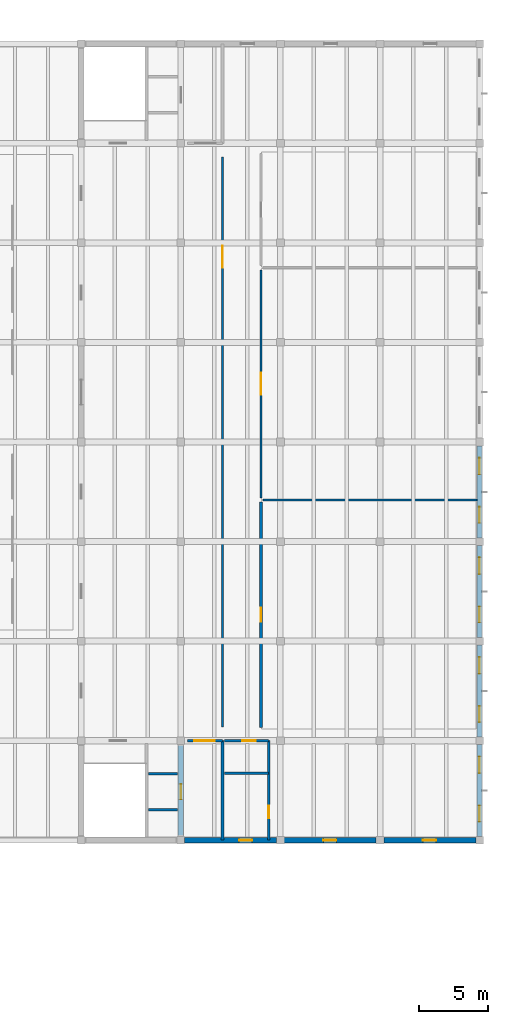
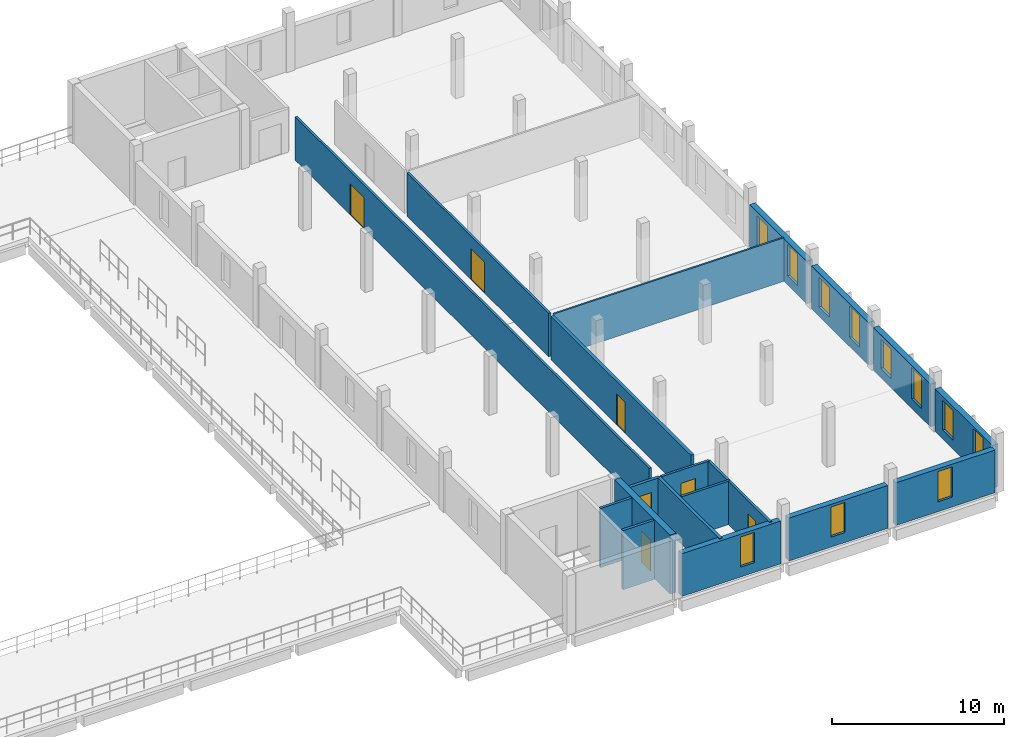
# One storey, part 56 of 63: 19 walls, 11 windows, 7 doors, 18 openings.
"""IFC4 building model written with IfcOpenShell, lengths in metres."""

from ifc_helpers import new_model, si_unit, direction, frame, frame_2d, origin, place, context, subcontext, project, spatial, rectangle, extrude, material, layer, layer_set, type_object, element, fill, save


model = new_model("IFC4")

# Units and contexts
model_context = context("Model", 3, precision=1e-05, world=origin(), true_north=direction((0.0, 1.0)))
body_context = subcontext(model_context, "Body", "Model", "MODEL_VIEW")
ifc_project = project(units=[si_unit("LENGTHUNIT", "METRE"), si_unit("AREAUNIT", "SQUARE_METRE"), si_unit("VOLUMEUNIT", "CUBIC_METRE"), si_unit("PLANEANGLEUNIT", "RADIAN"), si_unit("MASSUNIT", "GRAM", prefix="KILO")], contexts=[model_context])

# Site, building, storey
site_placement = place(None, origin())
site = spatial("IfcSite", under=ifc_project, at=site_placement, CompositionType="ELEMENT")
building_placement = place(site_placement, origin())
building = spatial("IfcBuilding", under=site, at=building_placement, Name="Qiaolan Assembly House", CompositionType="ELEMENT")
storey_placement = place(building_placement, frame((0.0, 0.0, 14.39990234375)))
storey = spatial("IfcBuildingStorey", under=building, at=storey_placement, Name="L03", CompositionType="ELEMENT", Elevation=14.39990234375)

# Wall, opening, door
ifc_material_1 = material(Name="Concrete C45/55", Category="concrete")
ifc_layer_1 = layer(ifc_material_1, 0.39990234375)
ifc_layer_set_1 = layer_set([ifc_layer_1], Name="Concrete C45/55")
wall_type_1 = type_object("IfcWallType", Name="WAL-CORE-400", PredefinedType="SHEAR", material=ifc_layer_set_1)
wall_1_placement = place(storey_placement, frame((151.199951171875, 29.14990234375, 0.0), z_axis=(0.0, 0.0, 1.0), x_axis=(0.0, 1.0, 0.0)))
wall_1 = element("IfcWall", 1, at=wall_1_placement, inside=storey, type_object=wall_type_1, Name="CW-400 shear core wall CORE-E E L03", PredefinedType="SHEAR", context=body_context, shape_type="SweptSolid", body=[
    extrude(rectangle(XDim=6.5, YDim=0.39990234375, at=frame_2d((3.25, 0.0))), origin(), (0.0, 0.0, 1.0), 4.2001953125),
])
opening_1_placement = place(wall_1_placement, frame((2.60009765625, 0.0, 0.0)))
opening_1 = element("IfcOpeningElement", 2, at=opening_1_placement, cuts=wall_1, Name="Opening LD-068", PredefinedType="OPENING", context=body_context, shape_type="SweptSolid", body=[
    extrude(rectangle(XDim=1.10009765625, YDim=2.199951171875, at=frame_2d((0.550048828125, 1.10009765625))), frame((0.0, 0.2099609375, 0.0), z_axis=(0.0, -1.0, 0.0), x_axis=(1.0, 0.0, 0.0)), (0.0, 0.0, 1.0), 0.419921875),
])
ifc_material_2 = material(Name="Anodised bronze aluminium", Category="aluminium")
door_type_1 = type_object("IfcDoorType", Name="DOR-LIFT-LD1100", OperationType="SLIDING_TO_LEFT", PredefinedType="DOOR", material=ifc_material_2)
door_1_placement = place(opening_1_placement, origin())
door_1 = element("IfcDoor", 3, at=door_1_placement, inside=storey, type_object=door_type_1, Name="Lift landing door LD-068 (LF-09 L03)", OperationType="SLIDING_TO_LEFT", OverallHeight=2.199951171875, OverallWidth=1.10009765625, PredefinedType="DOOR", context=body_context, shape_type="SweptSolid", body=[
    extrude(rectangle(XDim=1.10009765625, YDim=2.199951171875, at=frame_2d((0.550048828125, 1.10009765625))), frame((0.0, 0.02490234375, 0.0), z_axis=(0.0, -1.0, 0.0), x_axis=(1.0, 0.0, 0.0)), (0.0, 0.0, 1.0), 0.050048828125),
])
fill(opening_1, door_1)

# Wall, openings, windows
ifc_material_3 = material(Name="Honed pale limestone", Category="masonry")
ifc_layer_2 = layer(ifc_material_3, 0.3798828125)
ifc_layer_set_2 = layer_set([ifc_layer_2], Name="Honed pale limestone")
wall_type_2 = type_object("IfcWallType", Name="WAL-EXT-LIB-380", PredefinedType="SOLIDWALL", material=ifc_layer_set_2)
wall_2_placement = place(storey_placement, frame((172.800048828125, 35.72705078125, 0.0), z_axis=(0.0, 0.0, 1.0), x_axis=(0.0, -1.0, 0.0)))
wall_2 = element("IfcWall", 4, at=wall_2_placement, inside=storey, type_object=wall_type_2, Name="Library East avenue wall L03-1", PredefinedType="SOLIDWALL", context=body_context, shape_type="SweptSolid", body=[
    extrude(rectangle(XDim=6.654052734375, YDim=0.3798828125, at=frame_2d((3.3271484375, 0.0))), origin(), (0.0, 0.0, 1.0), 3.0400390625),
])
opening_2_placement = place(wall_2_placement, frame((0.876953125, 0.0, 0.64990234375)))
opening_2 = element("IfcOpeningElement", 5, at=opening_2_placement, cuts=wall_2, Name="Opening WN-486", PredefinedType="OPENING", context=body_context, shape_type="SweptSolid", body=[
    extrude(rectangle(XDim=1.199951171875, YDim=2.10009765625, at=frame_2d((0.60009765625, 1.050048828125))), frame((0.0, 0.199951171875, 0.0), z_axis=(0.0, -1.0, 0.0), x_axis=(1.0, 0.0, 0.0)), (0.0, 0.0, 1.0), 0.39990234375),
])
opening_3_placement = place(wall_2_placement, frame((4.427001953125, 0.0, 0.64990234375)))
opening_3 = element("IfcOpeningElement", 6, at=opening_3_placement, cuts=wall_2, Name="Opening WN-487", PredefinedType="OPENING", context=body_context, shape_type="SweptSolid", body=[
    extrude(rectangle(XDim=1.14990234375, YDim=2.239990234375, at=frame_2d((0.574951171875, 1.1201171875))), frame((0.0, 0.199951171875, 0.0), z_axis=(0.0, -1.0, 0.0), x_axis=(1.0, 0.0, 0.0)), (0.0, 0.0, 1.0), 0.39990234375),
])
ifc_material_4 = material(Name="Low-E double insulating glass", Category="glass")
window_type_1 = type_object("IfcWindowType", Name="WIN-ATTIC-1200x2100", PartitioningType="DOUBLE_PANEL_VERTICAL", PredefinedType="WINDOW", material=ifc_material_4)
window_1_placement = place(opening_2_placement, origin())
window_1 = element("IfcWindow", 7, at=window_1_placement, inside=storey, type_object=window_type_1, Name="Library reading window WN-486", OverallHeight=2.10009765625, OverallWidth=1.199951171875, PartitioningType="DOUBLE_PANEL_VERTICAL", PredefinedType="WINDOW", context=body_context, shape_type="SweptSolid", body=[
    extrude(rectangle(XDim=1.199951171875, YDim=2.10009765625, at=frame_2d((0.60009765625, 1.050048828125))), frame((0.0, 0.030029296875, 0.0), z_axis=(0.0, -1.0, 0.0), x_axis=(1.0, 0.0, 0.0)), (0.0, 0.0, 1.0), 0.06005859375),
])
fill(opening_2, window_1)
window_type_2 = type_object("IfcWindowType", Name="WIN-LIB-CARREL-1150x2300", PartitioningType="SINGLE_PANEL", PredefinedType="WINDOW", material=ifc_material_4)
window_2_placement = place(opening_3_placement, origin())
window_2 = element("IfcWindow", 8, at=window_2_placement, inside=storey, type_object=window_type_2, Name="Library reading window WN-487", OverallHeight=2.239990234375, OverallWidth=1.14990234375, PartitioningType="SINGLE_PANEL", PredefinedType="WINDOW", context=body_context, shape_type="SweptSolid", body=[
    extrude(rectangle(XDim=1.14990234375, YDim=2.239990234375, at=frame_2d((0.574951171875, 1.1201171875))), frame((0.0, 0.030029296875, 0.0), z_axis=(0.0, -1.0, 0.0), x_axis=(1.0, 0.0, 0.0)), (0.0, 0.0, 1.0), 0.06005859375),
])
fill(opening_3, window_2)

wall_3_placement = place(storey_placement, frame((172.800048828125, 42.927001953125, 0.0), z_axis=(0.0, 0.0, 1.0), x_axis=(0.0, -1.0, 0.0)))
wall_3 = element("IfcWall", 9, at=wall_3_placement, inside=storey, type_object=wall_type_2, Name="Library East avenue wall L03-2", PredefinedType="SOLIDWALL", context=body_context, shape_type="SweptSolid", body=[
    extrude(rectangle(XDim=6.654052734375, YDim=0.3798828125, at=frame_2d((3.3271484375, 0.0))), origin(), (0.0, 0.0, 1.0), 3.0400390625),
])
opening_4_placement = place(wall_3_placement, frame((0.876953125, 0.0, 0.64990234375)))
opening_4 = element("IfcOpeningElement", 10, at=opening_4_placement, cuts=wall_3, Name="Opening WN-488", PredefinedType="OPENING", context=body_context, shape_type="SweptSolid", body=[
    extrude(rectangle(XDim=1.199951171875, YDim=2.10009765625, at=frame_2d((0.60009765625, 1.050048828125))), frame((0.0, 0.199951171875, 0.0), z_axis=(0.0, -1.0, 0.0), x_axis=(1.0, 0.0, 0.0)), (0.0, 0.0, 1.0), 0.39990234375),
])
opening_5_placement = place(wall_3_placement, frame((4.427001953125, 0.0, 0.64990234375)))
opening_5 = element("IfcOpeningElement", 11, at=opening_5_placement, cuts=wall_3, Name="Opening WN-489", PredefinedType="OPENING", context=body_context, shape_type="SweptSolid", body=[
    extrude(rectangle(XDim=1.14990234375, YDim=2.239990234375, at=frame_2d((0.574951171875, 1.1201171875))), frame((0.0, 0.199951171875, 0.0), z_axis=(0.0, -1.0, 0.0), x_axis=(1.0, 0.0, 0.0)), (0.0, 0.0, 1.0), 0.39990234375),
])
window_3_placement = place(opening_4_placement, origin())
window_3 = element("IfcWindow", 12, at=window_3_placement, inside=storey, type_object=window_type_1, Name="Library reading window WN-488", OverallHeight=2.10009765625, OverallWidth=1.199951171875, PartitioningType="DOUBLE_PANEL_VERTICAL", PredefinedType="WINDOW", context=body_context, shape_type="SweptSolid", body=[
    extrude(rectangle(XDim=1.199951171875, YDim=2.10009765625, at=frame_2d((0.60009765625, 1.050048828125))), frame((0.0, 0.030029296875, 0.0), z_axis=(0.0, -1.0, 0.0), x_axis=(1.0, 0.0, 0.0)), (0.0, 0.0, 1.0), 0.06005859375),
])
fill(opening_4, window_3)
window_4_placement = place(opening_5_placement, origin())
window_4 = element("IfcWindow", 13, at=window_4_placement, inside=storey, type_object=window_type_2, Name="Library reading window WN-489", OverallHeight=2.239990234375, OverallWidth=1.14990234375, PartitioningType="SINGLE_PANEL", PredefinedType="WINDOW", context=body_context, shape_type="SweptSolid", body=[
    extrude(rectangle(XDim=1.14990234375, YDim=2.239990234375, at=frame_2d((0.574951171875, 1.1201171875))), frame((0.0, 0.030029296875, 0.0), z_axis=(0.0, -1.0, 0.0), x_axis=(1.0, 0.0, 0.0)), (0.0, 0.0, 1.0), 0.06005859375),
])
fill(opening_5, window_4)

wall_4_placement = place(storey_placement, frame((172.800048828125, 50.126953125, 0.0), z_axis=(0.0, 0.0, 1.0), x_axis=(0.0, -1.0, 0.0)))
wall_4 = element("IfcWall", 14, at=wall_4_placement, inside=storey, type_object=wall_type_2, Name="Library East avenue wall L03-3", PredefinedType="SOLIDWALL", context=body_context, shape_type="SweptSolid", body=[
    extrude(rectangle(XDim=6.654052734375, YDim=0.3798828125, at=frame_2d((3.3271484375, 0.0))), origin(), (0.0, 0.0, 1.0), 3.0400390625),
])
opening_6_placement = place(wall_4_placement, frame((0.876953125, 0.0, 0.64990234375)))
opening_6 = element("IfcOpeningElement", 15, at=opening_6_placement, cuts=wall_4, Name="Opening WN-491", PredefinedType="OPENING", context=body_context, shape_type="SweptSolid", body=[
    extrude(rectangle(XDim=1.199951171875, YDim=2.10009765625, at=frame_2d((0.60009765625, 1.050048828125))), frame((0.0, 0.199951171875, 0.0), z_axis=(0.0, -1.0, 0.0), x_axis=(1.0, 0.0, 0.0)), (0.0, 0.0, 1.0), 0.39990234375),
])
opening_7_placement = place(wall_4_placement, frame((4.427001953125, 0.0, 0.64990234375)))
opening_7 = element("IfcOpeningElement", 16, at=opening_7_placement, cuts=wall_4, Name="Opening WN-492", PredefinedType="OPENING", context=body_context, shape_type="SweptSolid", body=[
    extrude(rectangle(XDim=1.14990234375, YDim=2.239990234375, at=frame_2d((0.574951171875, 1.1201171875))), frame((0.0, 0.199951171875, 0.0), z_axis=(0.0, -1.0, 0.0), x_axis=(1.0, 0.0, 0.0)), (0.0, 0.0, 1.0), 0.39990234375),
])
window_5_placement = place(opening_6_placement, origin())
window_5 = element("IfcWindow", 17, at=window_5_placement, inside=storey, type_object=window_type_1, Name="Library reading window WN-491", OverallHeight=2.10009765625, OverallWidth=1.199951171875, PartitioningType="DOUBLE_PANEL_VERTICAL", PredefinedType="WINDOW", context=body_context, shape_type="SweptSolid", body=[
    extrude(rectangle(XDim=1.199951171875, YDim=2.10009765625, at=frame_2d((0.60009765625, 1.050048828125))), frame((0.0, 0.030029296875, 0.0), z_axis=(0.0, -1.0, 0.0), x_axis=(1.0, 0.0, 0.0)), (0.0, 0.0, 1.0), 0.06005859375),
])
fill(opening_6, window_5)
window_6_placement = place(opening_7_placement, origin())
window_6 = element("IfcWindow", 18, at=window_6_placement, inside=storey, type_object=window_type_2, Name="Library reading window WN-492", OverallHeight=2.239990234375, OverallWidth=1.14990234375, PartitioningType="SINGLE_PANEL", PredefinedType="WINDOW", context=body_context, shape_type="SweptSolid", body=[
    extrude(rectangle(XDim=1.14990234375, YDim=2.239990234375, at=frame_2d((0.574951171875, 1.1201171875))), frame((0.0, 0.030029296875, 0.0), z_axis=(0.0, -1.0, 0.0), x_axis=(1.0, 0.0, 0.0)), (0.0, 0.0, 1.0), 0.06005859375),
])
fill(opening_7, window_6)

wall_5_placement = place(storey_placement, frame((172.800048828125, 57.326904296875, 0.0), z_axis=(0.0, 0.0, 1.0), x_axis=(0.0, -1.0, 0.0)))
wall_5 = element("IfcWall", 19, at=wall_5_placement, inside=storey, type_object=wall_type_2, Name="Library East avenue wall L03-4", PredefinedType="SOLIDWALL", context=body_context, shape_type="SweptSolid", body=[
    extrude(rectangle(XDim=6.65380859375, YDim=0.3798828125, at=frame_2d((3.326904296875, 0.0))), origin(), (0.0, 0.0, 1.0), 3.0400390625),
])
opening_8_placement = place(wall_5_placement, frame((0.876953125, 0.0, 0.64990234375)))
opening_8 = element("IfcOpeningElement", 20, at=opening_8_placement, cuts=wall_5, Name="Opening WN-494", PredefinedType="OPENING", context=body_context, shape_type="SweptSolid", body=[
    extrude(rectangle(XDim=1.199951171875, YDim=2.10009765625, at=frame_2d((0.60009765625, 1.050048828125))), frame((0.0, 0.199951171875, 0.0), z_axis=(0.0, -1.0, 0.0), x_axis=(1.0, 0.0, 0.0)), (0.0, 0.0, 1.0), 0.39990234375),
])
opening_9_placement = place(wall_5_placement, frame((4.427001953125, 0.0, 0.64990234375)))
opening_9 = element("IfcOpeningElement", 21, at=opening_9_placement, cuts=wall_5, Name="Opening WN-495", PredefinedType="OPENING", context=body_context, shape_type="SweptSolid", body=[
    extrude(rectangle(XDim=1.14990234375, YDim=2.239990234375, at=frame_2d((0.574951171875, 1.1201171875))), frame((0.0, 0.199951171875, 0.0), z_axis=(0.0, -1.0, 0.0), x_axis=(1.0, 0.0, 0.0)), (0.0, 0.0, 1.0), 0.39990234375),
])
window_7_placement = place(opening_8_placement, origin())
window_7 = element("IfcWindow", 22, at=window_7_placement, inside=storey, type_object=window_type_1, Name="Library reading window WN-494", OverallHeight=2.10009765625, OverallWidth=1.199951171875, PartitioningType="DOUBLE_PANEL_VERTICAL", PredefinedType="WINDOW", context=body_context, shape_type="SweptSolid", body=[
    extrude(rectangle(XDim=1.199951171875, YDim=2.10009765625, at=frame_2d((0.60009765625, 1.050048828125))), frame((0.0, 0.030029296875, 0.0), z_axis=(0.0, -1.0, 0.0), x_axis=(1.0, 0.0, 0.0)), (0.0, 0.0, 1.0), 0.06005859375),
])
fill(opening_8, window_7)
window_8_placement = place(opening_9_placement, origin())
window_8 = element("IfcWindow", 23, at=window_8_placement, inside=storey, type_object=window_type_2, Name="Library reading window WN-495", OverallHeight=2.239990234375, OverallWidth=1.14990234375, PartitioningType="SINGLE_PANEL", PredefinedType="WINDOW", context=body_context, shape_type="SweptSolid", body=[
    extrude(rectangle(XDim=1.14990234375, YDim=2.239990234375, at=frame_2d((0.574951171875, 1.1201171875))), frame((0.0, 0.030029296875, 0.0), z_axis=(0.0, -1.0, 0.0), x_axis=(1.0, 0.0, 0.0)), (0.0, 0.0, 1.0), 0.06005859375),
])
fill(opening_9, window_8)

# Wall, opening, window
wall_6_placement = place(storey_placement, frame((151.472900390625, 28.800048828125, 0.0), z_axis=(0.0, 0.0, 1.0), x_axis=(1.0, 0.0, 0.0)))
wall_6 = element("IfcWall", 24, at=wall_6_placement, inside=storey, type_object=wall_type_2, Name="Library South wall L03-2", PredefinedType="SOLIDWALL", context=body_context, shape_type="SweptSolid", body=[
    extrude(rectangle(XDim=6.654052734375, YDim=0.3798828125, at=frame_2d((3.3271484375, 0.0))), origin(), (0.0, 0.0, 1.0), 3.0400390625),
])
opening_10_placement = place(wall_6_placement, frame((3.935791015625, 0.0, 0.699951171875)))
opening_10 = element("IfcOpeningElement", 25, at=opening_10_placement, cuts=wall_6, Name="Opening WN-507", PredefinedType="OPENING", context=body_context, shape_type="SweptSolid", body=[
    extrude(rectangle(XDim=0.949951171875, YDim=2.14990234375, at=frame_2d((0.47509765625, 1.074951171875))), frame((0.0, 0.199951171875, 0.0), z_axis=(0.0, -1.0, 0.0), x_axis=(1.0, 0.0, 0.0)), (0.0, 0.0, 1.0), 0.39990234375),
])
window_type_3 = type_object("IfcWindowType", Name="WIN-PUNCH-950x2150", PartitioningType="SINGLE_PANEL", PredefinedType="WINDOW", material=ifc_material_4)
window_9_placement = place(opening_10_placement, origin())
window_9 = element("IfcWindow", 26, at=window_9_placement, inside=storey, type_object=window_type_3, Name="Library South window WN-507", OverallHeight=2.14990234375, OverallWidth=0.949951171875, PartitioningType="SINGLE_PANEL", PredefinedType="WINDOW", context=body_context, shape_type="SweptSolid", body=[
    extrude(rectangle(XDim=0.949951171875, YDim=2.14990234375, at=frame_2d((0.47509765625, 1.074951171875))), frame((0.0, 0.030029296875, 0.0), z_axis=(0.0, -1.0, 0.0), x_axis=(1.0, 0.0, 0.0)), (0.0, 0.0, 1.0), 0.06005859375),
])
fill(opening_10, window_9)

wall_7_placement = place(storey_placement, frame((158.673095703125, 28.800048828125, 0.0), z_axis=(0.0, 0.0, 1.0), x_axis=(1.0, 0.0, 0.0)))
wall_7 = element("IfcWall", 27, at=wall_7_placement, inside=storey, type_object=wall_type_2, Name="Library South wall L03-3", PredefinedType="SOLIDWALL", context=body_context, shape_type="SweptSolid", body=[
    extrude(rectangle(XDim=6.65380859375, YDim=0.3798828125, at=frame_2d((3.326904296875, 0.0))), origin(), (0.0, 0.0, 1.0), 3.0400390625),
])
opening_11_placement = place(wall_7_placement, frame((2.826904296875, 0.0, 0.699951171875)))
opening_11 = element("IfcOpeningElement", 28, at=opening_11_placement, cuts=wall_7, Name="Opening WN-509", PredefinedType="OPENING", context=body_context, shape_type="SweptSolid", body=[
    extrude(rectangle(XDim=0.949951171875, YDim=2.14990234375, at=frame_2d((0.47509765625, 1.074951171875))), frame((0.0, 0.199951171875, 0.0), z_axis=(0.0, -1.0, 0.0), x_axis=(1.0, 0.0, 0.0)), (0.0, 0.0, 1.0), 0.39990234375),
])
window_10_placement = place(opening_11_placement, origin())
window_10 = element("IfcWindow", 29, at=window_10_placement, inside=storey, type_object=window_type_3, Name="Library South window WN-509", OverallHeight=2.14990234375, OverallWidth=0.949951171875, PartitioningType="SINGLE_PANEL", PredefinedType="WINDOW", context=body_context, shape_type="SweptSolid", body=[
    extrude(rectangle(XDim=0.949951171875, YDim=2.14990234375, at=frame_2d((0.47509765625, 1.074951171875))), frame((0.0, 0.030029296875, 0.0), z_axis=(0.0, -1.0, 0.0), x_axis=(1.0, 0.0, 0.0)), (0.0, 0.0, 1.0), 0.06005859375),
])
fill(opening_11, window_10)

wall_8_placement = place(storey_placement, frame((165.873046875, 28.800048828125, 0.0), z_axis=(0.0, 0.0, 1.0), x_axis=(1.0, 0.0, 0.0)))
wall_8 = element("IfcWall", 30, at=wall_8_placement, inside=storey, type_object=wall_type_2, Name="Library South wall L03-4", PredefinedType="SOLIDWALL", context=body_context, shape_type="SweptSolid", body=[
    extrude(rectangle(XDim=6.654052734375, YDim=0.3798828125, at=frame_2d((3.3271484375, 0.0))), origin(), (0.0, 0.0, 1.0), 3.0400390625),
])
opening_12_placement = place(wall_8_placement, frame((2.826904296875, 0.0, 0.699951171875)))
opening_12 = element("IfcOpeningElement", 31, at=opening_12_placement, cuts=wall_8, Name="Opening WN-511", PredefinedType="OPENING", context=body_context, shape_type="SweptSolid", body=[
    extrude(rectangle(XDim=0.949951171875, YDim=2.14990234375, at=frame_2d((0.47509765625, 1.074951171875))), frame((0.0, 0.199951171875, 0.0), z_axis=(0.0, -1.0, 0.0), x_axis=(1.0, 0.0, 0.0)), (0.0, 0.0, 1.0), 0.39990234375),
])
window_11_placement = place(opening_12_placement, origin())
window_11 = element("IfcWindow", 32, at=window_11_placement, inside=storey, type_object=window_type_3, Name="Library South window WN-511", OverallHeight=2.14990234375, OverallWidth=0.949951171875, PartitioningType="SINGLE_PANEL", PredefinedType="WINDOW", context=body_context, shape_type="SweptSolid", body=[
    extrude(rectangle(XDim=0.949951171875, YDim=2.14990234375, at=frame_2d((0.47509765625, 1.074951171875))), frame((0.0, 0.030029296875, 0.0), z_axis=(0.0, -1.0, 0.0), x_axis=(1.0, 0.0, 0.0)), (0.0, 0.0, 1.0), 0.06005859375),
])
fill(opening_12, window_11)

# Wall
ifc_material_5 = material(Name="Concrete C35/45", Category="concrete")
ifc_layer_3 = layer(ifc_material_5, 0.199951171875)
ifc_layer_set_3 = layer_set([ifc_layer_3], Name="Concrete C35/45")
wall_type_3 = type_object("IfcWallType", Name="WAL-LOBBY-200", PredefinedType="PARTITIONING", material=ifc_layer_set_3)
wall_9_placement = place(storey_placement, frame((154.199951171875, 28.800048828125, 0.0), z_axis=(0.0, 0.0, 1.0), x_axis=(0.0, 1.0, 0.0)))
element("IfcWall", 33, at=wall_9_placement, inside=storey, type_object=wall_type_3, Name="Firefighting lift lobby east wall CORE-E L03", PredefinedType="PARTITIONING", context=body_context, shape_type="SweptSolid", body=[
    extrude(rectangle(XDim=7.199951171875, YDim=0.199951171875, at=frame_2d((3.60009765625, 0.0))), origin(), (0.0, 0.0, 1.0), 3.080078125),
])

# Wall, opening, door
wall_10_placement = place(storey_placement, frame((154.199951171875, 36.0, 0.0), z_axis=(0.0, 0.0, 1.0), x_axis=(-1.0, 0.0, 0.0)))
wall_10 = element("IfcWall", 34, at=wall_10_placement, inside=storey, type_object=wall_type_3, Name="Firefighting lift lobby north wall CORE-E L03", PredefinedType="PARTITIONING", context=body_context, shape_type="SweptSolid", body=[
    extrude(rectangle(XDim=2.52001953125, YDim=0.199951171875, at=frame_2d((1.260009765625, 0.0))), origin(), (0.0, 0.0, 1.0), 3.080078125),
])
opening_13_placement = place(wall_10_placement, frame((0.550048828125, 0.0, 0.0)))
opening_13 = element("IfcOpeningElement", 35, at=opening_13_placement, cuts=wall_10, Name="Opening FD-122", PredefinedType="OPENING", context=body_context, shape_type="SweptSolid", body=[
    extrude(rectangle(XDim=1.5, YDim=2.199951171875, at=frame_2d((0.75, 1.10009765625))), frame((0.0, 0.10986328125, 0.0), z_axis=(0.0, -1.0, 0.0), x_axis=(1.0, 0.0, 0.0)), (0.0, 0.0, 1.0), 0.219970703125),
])
ifc_material_6 = material(Name="Acoustic oak panelling")
door_type_2 = type_object("IfcDoorType", Name="DOR-LOBBY-FD60-1500", OperationType="DOUBLE_DOOR_SINGLE_SWING", PredefinedType="DOOR", material=ifc_material_6)
door_2_placement = place(opening_13_placement, frame((1.5, 0.0, 0.0), z_axis=(0.0, 0.0, 1.0), x_axis=(-1.0, 0.0, 0.0)))
door_2 = element("IfcDoor", 36, at=door_2_placement, inside=storey, type_object=door_type_2, Name="Lobby corridor fire door FD-122", OperationType="DOUBLE_DOOR_SINGLE_SWING", OverallHeight=2.199951171875, OverallWidth=1.5, PredefinedType="DOOR", context=body_context, shape_type="SweptSolid", body=[
    extrude(rectangle(XDim=1.5, YDim=2.199951171875, at=frame_2d((0.75, 1.10009765625))), frame((0.0, 0.02490234375, 0.0), z_axis=(0.0, -1.0, 0.0), x_axis=(1.0, 0.0, 0.0)), (0.0, 0.0, 1.0), 0.050048828125),
])
fill(opening_13, door_2)

# Wall
ifc_material_7 = material(Name="Gypsum plasterboard partition")
ifc_layer_4 = layer(ifc_material_7, 0.1201171875)
ifc_layer_set_4 = layer_set([ifc_layer_4], Name="Gypsum plasterboard partition")
wall_type_4 = type_object("IfcWallType", Name="WAL-PART-120", PredefinedType="PARTITIONING", material=ifc_layer_set_4)
wall_11_placement = place(storey_placement, frame((157.14990234375, 53.39990234375, 0.0), z_axis=(0.0, 0.0, 1.0), x_axis=(1.0, 0.0, 0.0)))
element("IfcWall", 37, at=wall_11_placement, inside=storey, type_object=wall_type_4, Name="Rare Manuscript Conservation & Reading Salon demising wall", PredefinedType="PARTITIONING", context=body_context, shape_type="SweptSolid", body=[
    extrude(rectangle(XDim=15.47021484375, YDim=0.1201171875, at=frame_2d((7.735107421875, 0.0))), origin(), (0.0, 0.0, 1.0), 3.080078125),
])

# Wall, opening, door
ifc_layer_5 = layer(ifc_material_7, 0.14990234375)
ifc_layer_set_5 = layer_set([ifc_layer_5], Name="Gypsum plasterboard partition")
wall_type_5 = type_object("IfcWallType", Name="WAL-PART-150", PredefinedType="PARTITIONING", material=ifc_layer_set_5)
wall_12_placement = place(storey_placement, frame((154.199951171875, 78.199951171875, 0.0), z_axis=(0.0, 0.0, 1.0), x_axis=(0.0, -1.0, 0.0)))
wall_12 = element("IfcWall", 38, at=wall_12_placement, inside=storey, type_object=wall_type_5, Name="Roof Garden Outlook Scholars Salon corridor wall", PredefinedType="PARTITIONING", context=body_context, shape_type="SweptSolid", body=[
    extrude(rectangle(XDim=41.199951171875, YDim=0.14990234375, at=frame_2d((20.60009765625, 0.0))), origin(), (0.0, 0.0, 1.0), 3.080078125),
])
opening_14_placement = place(wall_12_placement, frame((6.39990234375, 0.0, 0.0)))
opening_14 = element("IfcOpeningElement", 39, at=opening_14_placement, cuts=wall_12, Name="Opening MD-289", PredefinedType="OPENING", context=body_context, shape_type="SweptSolid", body=[
    extrude(rectangle(XDim=1.60009765625, YDim=2.199951171875, at=frame_2d((0.800048828125, 1.10009765625))), frame((0.0, 0.0849609375, 0.0), z_axis=(0.0, -1.0, 0.0), x_axis=(1.0, 0.0, 0.0)), (0.0, 0.0, 1.0), 0.169921875),
])
door_type_3 = type_object("IfcDoorType", Name="DOR-COMM-DBL-1600", OperationType="DOUBLE_DOOR_SINGLE_SWING", PredefinedType="DOOR", material=ifc_material_6)
door_3_placement = place(opening_14_placement, origin())
door_3 = element("IfcDoor", 40, at=door_3_placement, inside=storey, type_object=door_type_3, Name="Scholars Salon door MD-289", OperationType="DOUBLE_DOOR_SINGLE_SWING", OverallHeight=2.199951171875, OverallWidth=1.60009765625, PredefinedType="DOOR", context=body_context, shape_type="SweptSolid", body=[
    extrude(rectangle(XDim=1.60009765625, YDim=2.199951171875, at=frame_2d((0.800048828125, 1.10009765625))), frame((0.0, 0.02490234375, 0.0), z_axis=(0.0, -1.0, 0.0), x_axis=(1.0, 0.0, 0.0)), (0.0, 0.0, 1.0), 0.050048828125),
])
fill(opening_14, door_3)

wall_13_placement = place(storey_placement, frame((157.0, 53.550048828125, 0.0), z_axis=(0.0, 0.0, 1.0), x_axis=(0.0, 1.0, 0.0)))
wall_13 = element("IfcWall", 41, at=wall_13_placement, inside=storey, type_object=wall_type_5, Name="Rare Manuscript Conservation & Reading Salon corridor wall", PredefinedType="PARTITIONING", context=body_context, shape_type="SweptSolid", body=[
    extrude(rectangle(XDim=16.5, YDim=0.14990234375, at=frame_2d((8.25, 0.0))), origin(), (0.0, 0.0, 1.0), 3.080078125),
])
opening_15_placement = place(wall_13_placement, frame((7.449951171875, 0.0, 0.0)))
opening_15 = element("IfcOpeningElement", 42, at=opening_15_placement, cuts=wall_13, Name="Opening MD-291", PredefinedType="OPENING", context=body_context, shape_type="SweptSolid", body=[
    extrude(rectangle(XDim=1.60009765625, YDim=2.199951171875, at=frame_2d((0.800048828125, 1.10009765625))), frame((0.0, 0.0849609375, 0.0), z_axis=(0.0, -1.0, 0.0), x_axis=(1.0, 0.0, 0.0)), (0.0, 0.0, 1.0), 0.169921875),
])
door_4_placement = place(opening_15_placement, origin())
door_4 = element("IfcDoor", 43, at=door_4_placement, inside=storey, type_object=door_type_3, Name="Rare Manuscript Conservation & Reading Salon door MD-291", OperationType="DOUBLE_DOOR_SINGLE_SWING", OverallHeight=2.199951171875, OverallWidth=1.60009765625, PredefinedType="DOOR", context=body_context, shape_type="SweptSolid", body=[
    extrude(rectangle(XDim=1.60009765625, YDim=2.199951171875, at=frame_2d((0.800048828125, 1.10009765625))), frame((0.0, 0.02490234375, 0.0), z_axis=(0.0, -1.0, 0.0), x_axis=(1.0, 0.0, 0.0)), (0.0, 0.0, 1.0), 0.050048828125),
])
fill(opening_15, door_4)

ifc_material_8 = material(Name="Gypsum acoustic stud wall")
ifc_layer_6 = layer(ifc_material_8, 0.2119140625)
ifc_layer_set_6 = layer_set([ifc_layer_6], Name="Gypsum acoustic stud wall")
wall_type_6 = type_object("IfcWallType", Name="WAL-PART-ACOUSTIC-200", PredefinedType="PARTITIONING", material=ifc_layer_set_6)
wall_14_placement = place(storey_placement, frame((157.0, 36.949951171875, 0.0), z_axis=(0.0, 0.0, 1.0), x_axis=(0.0, 1.0, 0.0)))
wall_14 = element("IfcWall", 44, at=wall_14_placement, inside=storey, type_object=wall_type_6, Name="Rare Books & Historic Municipal Charter Vault corridor wall", PredefinedType="PARTITIONING", context=body_context, shape_type="SweptSolid", body=[
    extrude(rectangle(XDim=16.300048828125, YDim=0.2119140625, at=frame_2d((8.14990234375, 0.0))), origin(), (0.0, 0.0, 1.0), 3.080078125),
])
opening_16_placement = place(wall_14_placement, frame((7.64990234375, 0.0, 0.0)))
opening_16 = element("IfcOpeningElement", 45, at=opening_16_placement, cuts=wall_14, Name="Opening MD-290", PredefinedType="OPENING", context=body_context, shape_type="SweptSolid", body=[
    extrude(rectangle(XDim=1.0, YDim=2.199951171875, at=frame_2d((0.5, 1.10009765625))), frame((0.0, 0.115966796875, 0.0), z_axis=(0.0, -1.0, 0.0), x_axis=(1.0, 0.0, 0.0)), (0.0, 0.0, 1.0), 0.23193359375),
])
door_type_4 = type_object("IfcDoorType", Name="DOR-OFF-SGL-1000", OperationType="NOTDEFINED", PredefinedType="DOOR", material=ifc_material_6)
door_5_placement = place(opening_16_placement, origin())
door_5 = element("IfcDoor", 46, at=door_5_placement, inside=storey, type_object=door_type_4, Name="Rare Books & Historic Municipal Charter Vault door MD-290", OperationType="SINGLE_SWING_LEFT", OverallHeight=2.199951171875, OverallWidth=1.0, PredefinedType="DOOR", context=body_context, shape_type="SweptSolid", body=[
    extrude(rectangle(XDim=1.0, YDim=2.199951171875, at=frame_2d((0.5, 1.10009765625))), frame((0.0, 0.02490234375, 0.0), z_axis=(0.0, -1.0, 0.0), x_axis=(1.0, 0.0, 0.0)), (0.0, 0.0, 1.0), 0.050048828125),
])
fill(opening_16, door_5)

# Walls
ifc_layer_7 = layer(ifc_material_5, 0.18505859375)
ifc_layer_set_7 = layer_set([ifc_layer_7], Name="Concrete C35/45")
wall_type_7 = type_object("IfcWallType", Name="WAL-SHAFT-200", PredefinedType="PARTITIONING", material=ifc_layer_set_7)
for number, where, z_axis, x_axis, name in (
    (47, (148.85009765625, 31.0, 0.0), (0.0, 0.0, 1.0), (1.0, 0.0, 0.0), "SW-200 lift shaft wall LF-09 L03 DIVS"),
    (48, (148.85009765625, 33.60009765625, 0.0), (0.0, 0.0, 1.0), (1.0, 0.0, 0.0), "SW-200 lift shaft wall LF-09 L03 DIVN"),
):
    element("IfcWall", number, at=place(storey_placement, frame(where, z_axis=z_axis, x_axis=x_axis)), inside=storey, type_object=wall_type_7, Name=name, PredefinedType="PARTITIONING", context=body_context, shape_type="SweptSolid", body=[
        extrude(rectangle(XDim=2.099853515625, YDim=0.18505859375, at=frame_2d((1.0498046875, 0.0))), origin(), (0.0, 0.0, 1.0), 4.2001953125),
    ])

# Wall, opening, door
ifc_material_9 = material(Name="Concrete C30/37", Category="concrete")
ifc_layer_8 = layer(ifc_material_9, 0.1650390625)
ifc_layer_set_8 = layer_set([ifc_layer_8], Name="Concrete C30/37")
wall_type_8 = type_object("IfcWallType", Name="WAL-WET-150", PredefinedType="PARTITIONING", material=ifc_layer_set_8)
wall_15_placement = place(storey_placement, frame((157.550048828125, 28.800048828125, 0.0), z_axis=(0.0, 0.0, 1.0), x_axis=(0.0, 1.0, 0.0)))
wall_15 = element("IfcWall", 49, at=wall_15_placement, inside=storey, type_object=wall_type_8, Name="Public WC east wall CORE-E L03", PredefinedType="PARTITIONING", context=body_context, shape_type="SweptSolid", body=[
    extrude(rectangle(XDim=7.199951171875, YDim=0.1650390625, at=frame_2d((3.60009765625, 0.0))), origin(), (0.0, 0.0, 1.0), 3.080078125),
])
opening_17_placement = place(wall_15_placement, frame((1.60009765625, 0.0, 0.0)))
opening_17 = element("IfcOpeningElement", 50, at=opening_17_placement, cuts=wall_15, Name="Opening WD-123", PredefinedType="OPENING", context=body_context, shape_type="SweptSolid", body=[
    extrude(rectangle(XDim=0.89990234375, YDim=2.14990234375, at=frame_2d((0.449951171875, 1.074951171875))), frame((0.0, 0.092529296875, 0.0), z_axis=(0.0, -1.0, 0.0), x_axis=(1.0, 0.0, 0.0)), (0.0, 0.0, 1.0), 0.18505859375),
])
door_type_5 = type_object("IfcDoorType", Name="DOR-WC-900", OperationType="NOTDEFINED", PredefinedType="DOOR", material=ifc_material_6)
door_6_placement = place(opening_17_placement, origin())
door_6 = element("IfcDoor", 51, at=door_6_placement, inside=storey, type_object=door_type_5, Name="Public Restroom door WD-123", OperationType="SINGLE_SWING_RIGHT", OverallHeight=2.14990234375, OverallWidth=0.89990234375, PredefinedType="DOOR", context=body_context, shape_type="SweptSolid", body=[
    extrude(rectangle(XDim=0.89990234375, YDim=2.14990234375, at=frame_2d((0.449951171875, 1.074951171875))), frame((0.0, 0.02490234375, 0.0), z_axis=(0.0, -1.0, 0.0), x_axis=(1.0, 0.0, 0.0)), (0.0, 0.0, 1.0), 0.050048828125),
])
fill(opening_17, door_6)

wall_16_placement = place(storey_placement, frame((157.550048828125, 36.0, 0.0), z_axis=(0.0, 0.0, 1.0), x_axis=(-1.0, 0.0, 0.0)))
wall_16 = element("IfcWall", 52, at=wall_16_placement, inside=storey, type_object=wall_type_8, Name="Accessible WC corridor wall CORE-E L03", PredefinedType="PARTITIONING", context=body_context, shape_type="SweptSolid", body=[
    extrude(rectangle(XDim=3.199951171875, YDim=0.1650390625, at=frame_2d((1.60009765625, 0.0))), origin(), (0.0, 0.0, 1.0), 3.080078125),
])
opening_18_placement = place(wall_16_placement, frame((0.949951171875, 0.0, 0.0)))
opening_18 = element("IfcOpeningElement", 53, at=opening_18_placement, cuts=wall_16, Name="Opening AD-124", PredefinedType="OPENING", context=body_context, shape_type="SweptSolid", body=[
    extrude(rectangle(XDim=0.949951171875, YDim=2.14990234375, at=frame_2d((0.47509765625, 1.074951171875))), frame((0.0, 0.092529296875, 0.0), z_axis=(0.0, -1.0, 0.0), x_axis=(1.0, 0.0, 0.0)), (0.0, 0.0, 1.0), 0.18505859375),
])
door_type_6 = type_object("IfcDoorType", Name="DOR-ACC-WC-950", OperationType="NOTDEFINED", PredefinedType="DOOR", material=ifc_material_6)
door_7_placement = place(opening_18_placement, origin())
door_7 = element("IfcDoor", 54, at=door_7_placement, inside=storey, type_object=door_type_6, Name="Accessible Restroom door AD-124", OperationType="SINGLE_SWING_LEFT", OverallHeight=2.14990234375, OverallWidth=0.949951171875, PredefinedType="DOOR", context=body_context, shape_type="SweptSolid", body=[
    extrude(rectangle(XDim=0.949951171875, YDim=2.14990234375, at=frame_2d((0.47509765625, 1.074951171875))), frame((0.0, 0.02490234375, 0.0), z_axis=(0.0, -1.0, 0.0), x_axis=(1.0, 0.0, 0.0)), (0.0, 0.0, 1.0), 0.050048828125),
])
fill(opening_18, door_7)

# Wall
wall_17_placement = place(storey_placement, frame((154.35009765625, 33.64990234375, 0.0), z_axis=(0.0, 0.0, 1.0), x_axis=(1.0, 0.0, 0.0)))
element("IfcWall", 55, at=wall_17_placement, inside=storey, type_object=wall_type_8, Name="WC divider wall CORE-E L03", PredefinedType="PARTITIONING", context=body_context, shape_type="SweptSolid", body=[
    extrude(rectangle(XDim=3.199951171875, YDim=0.1650390625, at=frame_2d((1.60009765625, 0.0))), origin(), (0.0, 0.0, 1.0), 3.080078125),
])

save(model, "model.ifc")
